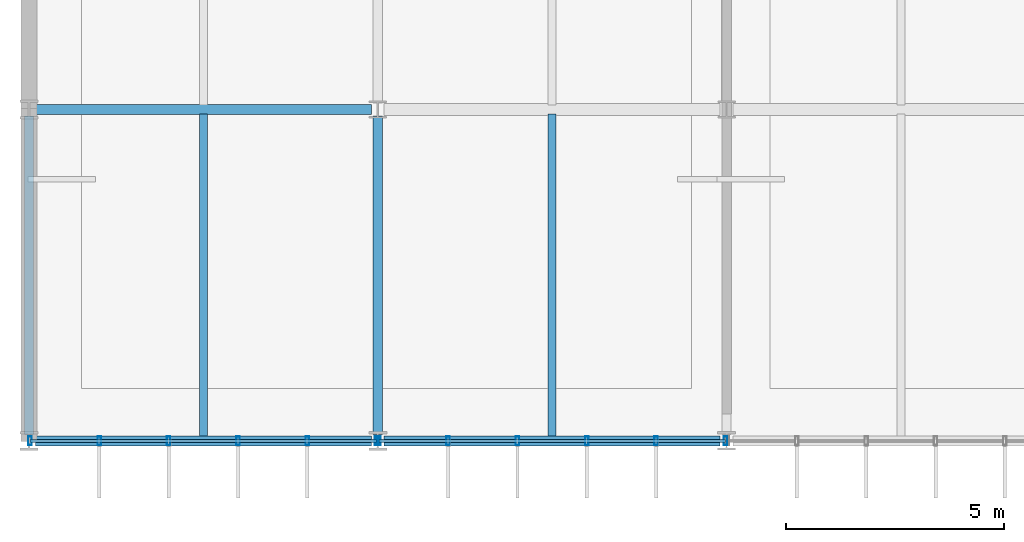
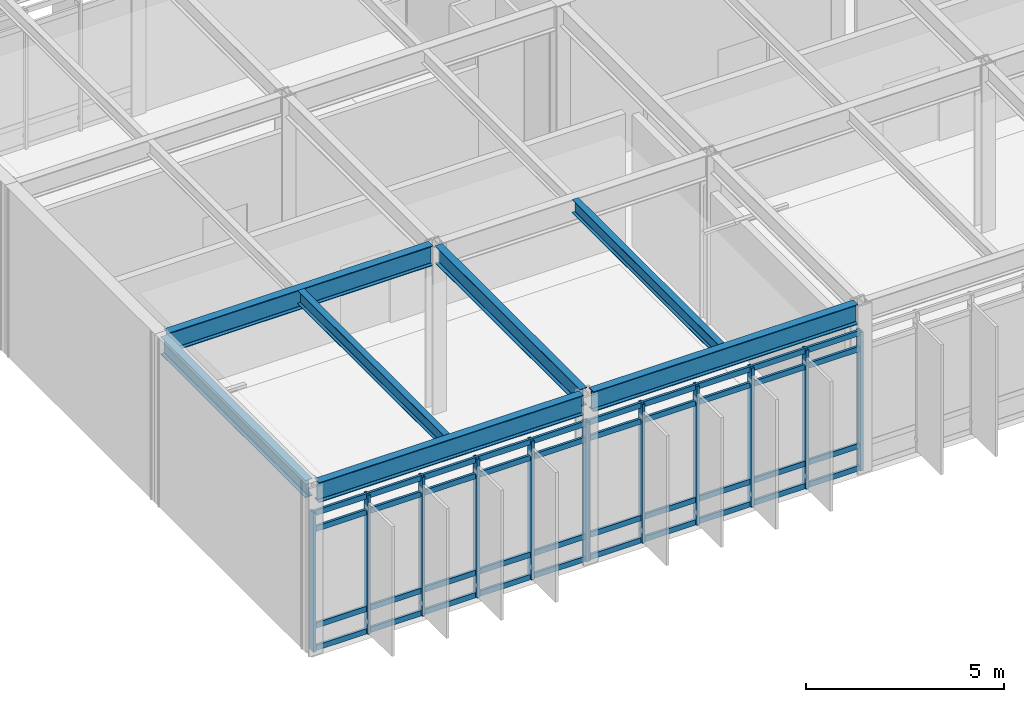
# One storey, part 21 of 94: 20 members, 7 beams, 2 elements without a shape of their own.
"""IFC4 building model written with IfcOpenShell, lengths in metres."""

from ifc_helpers import new_model, si_unit, direction, frame, origin, origin_2d, place, context, subcontext, project, spatial, hollow_rectangle, i_section, extrude, material, material_profile, profile_set, type_object, element, aggregate, save


model = new_model("IFC4")

# Units and contexts
model_context = context("Model", 3, precision=1e-05, world=origin(), true_north=direction((0.0, 1.0)))
body_context = subcontext(model_context, "Body", "Model", "MODEL_VIEW")
ifc_project = project(units=[si_unit("LENGTHUNIT", "METRE"), si_unit("AREAUNIT", "SQUARE_METRE"), si_unit("VOLUMEUNIT", "CUBIC_METRE"), si_unit("PLANEANGLEUNIT", "RADIAN"), si_unit("MASSUNIT", "GRAM", prefix="KILO")], contexts=[model_context])

# Site, building, storey
site_placement = place(None, origin())
site = spatial("IfcSite", under=ifc_project, at=site_placement, CompositionType="ELEMENT")
building_placement = place(site_placement, origin())
building = spatial("IfcBuilding", under=site, at=building_placement, Name="Zulena Civic Courthouse", CompositionType="ELEMENT")
storey_placement = place(building_placement, frame((0.0, 0.0, 5.39990234375)))
storey = spatial("IfcBuildingStorey", under=building, at=storey_placement, Name="L01", CompositionType="ELEMENT", Elevation=5.39990234375)

# Curtain wall, members
ifc_material_1 = material(Name="Double-silver low-E laminated solar-control glass", Category="glass")
curtain_wall_type = type_object("IfcCurtainWallType", Name="CW_7952x4280", PredefinedType="USERDEFINED", material=ifc_material_1)
curtain_wall_1_placement = place(storey_placement, origin())
curtain_wall_1 = element("IfcCurtainWall", 1, at=curtain_wall_1_placement, inside=storey, type_object=curtain_wall_type, Name="cw:V2:L01:5:4", ObjectType="UNITISED CURTAIN WALL", PredefinedType="USERDEFINED")
ifc_material_2 = material(Name="Bronze anodised thermally broken aluminium AA6063-T6", Category="aluminium")
ifc_material_profile_1 = material_profile(ifc_material_2, hollow_rectangle(XDim=0.080078125, YDim=0.199951171875, WallThickness=0.0048828125, at=origin_2d()), Name="CWM200X80X5")
ifc_profile_set_1 = profile_set([ifc_material_profile_1], Name="Bronze anodised thermally broken aluminium AA6063-T6")
member_type_1 = type_object("IfcMemberType", Name="CWMullion_200x80", PredefinedType="MULLION", material=ifc_profile_set_1)
member_1_placement = place(storey_placement, frame((19.97607421875, 0.0, 0.0), z_axis=(0.0, 0.0, 1.0), x_axis=(1.0, 0.0, 0.0)))
member_1 = element("IfcMember", 2, at=member_1_placement, type_object=member_type_1, Name="cw:V2:L01:5:4:mull:0", PredefinedType="MULLION", context=body_context, shape_type="SweptSolid", body=[
    extrude(hollow_rectangle(XDim=0.080078125, YDim=0.199951171875, WallThickness=0.0048828125, at=origin_2d()), origin(), (0.0, 0.0, 1.0), 4.280029296875),
])
member_2_placement = place(storey_placement, frame((18.385498046875, 0.0, 0.0), z_axis=(0.0, 0.0, 1.0), x_axis=(1.0, 0.0, 0.0)))
member_2 = element("IfcMember", 3, at=member_2_placement, type_object=member_type_1, Name="cw:V2:L01:5:4:mull:1", PredefinedType="MULLION", context=body_context, shape_type="SweptSolid", body=[
    extrude(hollow_rectangle(XDim=0.080078125, YDim=0.199951171875, WallThickness=0.0048828125, at=origin_2d()), origin(), (0.0, 0.0, 1.0), 4.280029296875),
])
member_3_placement = place(storey_placement, frame((16.795166015625, 0.0, 0.0), z_axis=(0.0, 0.0, 1.0), x_axis=(1.0, 0.0, 0.0)))
member_3 = element("IfcMember", 4, at=member_3_placement, type_object=member_type_1, Name="cw:V2:L01:5:4:mull:2", PredefinedType="MULLION", context=body_context, shape_type="SweptSolid", body=[
    extrude(hollow_rectangle(XDim=0.080078125, YDim=0.199951171875, WallThickness=0.0048828125, at=origin_2d()), origin(), (0.0, 0.0, 1.0), 4.280029296875),
])
member_4_placement = place(storey_placement, frame((15.204833984375, 0.0, 0.0), z_axis=(0.0, 0.0, 1.0), x_axis=(1.0, 0.0, 0.0)))
member_4 = element("IfcMember", 5, at=member_4_placement, type_object=member_type_1, Name="cw:V2:L01:5:4:mull:3", PredefinedType="MULLION", context=body_context, shape_type="SweptSolid", body=[
    extrude(hollow_rectangle(XDim=0.080078125, YDim=0.199951171875, WallThickness=0.0048828125, at=origin_2d()), origin(), (0.0, 0.0, 1.0), 4.280029296875),
])
member_5_placement = place(storey_placement, frame((13.614501953125, 0.0, 0.0), z_axis=(0.0, 0.0, 1.0), x_axis=(1.0, 0.0, 0.0)))
member_5 = element("IfcMember", 6, at=member_5_placement, type_object=member_type_1, Name="cw:V2:L01:5:4:mull:4", PredefinedType="MULLION", context=body_context, shape_type="SweptSolid", body=[
    extrude(hollow_rectangle(XDim=0.080078125, YDim=0.199951171875, WallThickness=0.0048828125, at=origin_2d()), origin(), (0.0, 0.0, 1.0), 4.280029296875),
])
member_6_placement = place(storey_placement, frame((12.02392578125, 0.0, 0.0), z_axis=(0.0, 0.0, 1.0), x_axis=(1.0, 0.0, 0.0)))
member_6 = element("IfcMember", 7, at=member_6_placement, type_object=member_type_1, Name="cw:V2:L01:5:4:mull:5", PredefinedType="MULLION", context=body_context, shape_type="SweptSolid", body=[
    extrude(hollow_rectangle(XDim=0.080078125, YDim=0.199951171875, WallThickness=0.0048828125, at=origin_2d()), origin(), (0.0, 0.0, 1.0), 4.280029296875),
])

curtain_wall_2_placement = place(storey_placement, origin())
curtain_wall_2 = element("IfcCurtainWall", 8, at=curtain_wall_2_placement, inside=storey, type_object=curtain_wall_type, Name="cw:V2:L01:5:5", ObjectType="UNITISED CURTAIN WALL", PredefinedType="USERDEFINED")
member_7_placement = place(storey_placement, frame((11.97607421875, 0.0, 0.0), z_axis=(0.0, 0.0, 1.0), x_axis=(1.0, 0.0, 0.0)))
member_7 = element("IfcMember", 9, at=member_7_placement, type_object=member_type_1, Name="cw:V2:L01:5:5:mull:0", PredefinedType="MULLION", context=body_context, shape_type="SweptSolid", body=[
    extrude(hollow_rectangle(XDim=0.080078125, YDim=0.199951171875, WallThickness=0.0048828125, at=origin_2d()), origin(), (0.0, 0.0, 1.0), 4.280029296875),
])
member_8_placement = place(storey_placement, frame((10.385498046875, 0.0, 0.0), z_axis=(0.0, 0.0, 1.0), x_axis=(1.0, 0.0, 0.0)))
member_8 = element("IfcMember", 10, at=member_8_placement, type_object=member_type_1, Name="cw:V2:L01:5:5:mull:1", PredefinedType="MULLION", context=body_context, shape_type="SweptSolid", body=[
    extrude(hollow_rectangle(XDim=0.080078125, YDim=0.199951171875, WallThickness=0.0048828125, at=origin_2d()), origin(), (0.0, 0.0, 1.0), 4.280029296875),
])
member_9_placement = place(storey_placement, frame((8.795166015625, 0.0, 0.0), z_axis=(0.0, 0.0, 1.0), x_axis=(1.0, 0.0, 0.0)))
member_9 = element("IfcMember", 11, at=member_9_placement, type_object=member_type_1, Name="cw:V2:L01:5:5:mull:2", PredefinedType="MULLION", context=body_context, shape_type="SweptSolid", body=[
    extrude(hollow_rectangle(XDim=0.080078125, YDim=0.199951171875, WallThickness=0.0048828125, at=origin_2d()), origin(), (0.0, 0.0, 1.0), 4.280029296875),
])
member_10_placement = place(storey_placement, frame((7.204833984375, 0.0, 0.0), z_axis=(0.0, 0.0, 1.0), x_axis=(1.0, 0.0, 0.0)))
member_10 = element("IfcMember", 12, at=member_10_placement, type_object=member_type_1, Name="cw:V2:L01:5:5:mull:3", PredefinedType="MULLION", context=body_context, shape_type="SweptSolid", body=[
    extrude(hollow_rectangle(XDim=0.080078125, YDim=0.199951171875, WallThickness=0.0048828125, at=origin_2d()), origin(), (0.0, 0.0, 1.0), 4.280029296875),
])
member_11_placement = place(storey_placement, frame((5.614501953125, 0.0, 0.0), z_axis=(0.0, 0.0, 1.0), x_axis=(1.0, 0.0, 0.0)))
member_11 = element("IfcMember", 13, at=member_11_placement, type_object=member_type_1, Name="cw:V2:L01:5:5:mull:4", PredefinedType="MULLION", context=body_context, shape_type="SweptSolid", body=[
    extrude(hollow_rectangle(XDim=0.080078125, YDim=0.199951171875, WallThickness=0.0048828125, at=origin_2d()), origin(), (0.0, 0.0, 1.0), 4.280029296875),
])
member_12_placement = place(storey_placement, frame((4.02392578125, 0.0, 0.0), z_axis=(0.0, 0.0, 1.0), x_axis=(1.0, 0.0, 0.0)))
member_12 = element("IfcMember", 14, at=member_12_placement, type_object=member_type_1, Name="cw:V2:L01:5:5:mull:5", PredefinedType="MULLION", context=body_context, shape_type="SweptSolid", body=[
    extrude(hollow_rectangle(XDim=0.080078125, YDim=0.199951171875, WallThickness=0.0048828125, at=origin_2d()), origin(), (0.0, 0.0, 1.0), 4.280029296875),
])

# Member
ifc_material_profile_2 = material_profile(ifc_material_2, hollow_rectangle(XDim=0.070068359375, YDim=0.1650390625, WallThickness=0.00390625, at=origin_2d()), Name="CWT165X70X4")
ifc_profile_set_2 = profile_set([ifc_material_profile_2], Name="Bronze anodised thermally broken aluminium AA6063-T6")
member_type_2 = type_object("IfcMemberType", Name="CWTransom_165x70", PredefinedType="USERDEFINED", material=ifc_profile_set_2)
member_13_placement = place(storey_placement, frame((19.97607421875, 0.0, 0.06005859375), z_axis=(-1.0, 0.0, 0.0), x_axis=(0.0, -1.0, 0.0)))
member_13 = element("IfcMember", 15, at=member_13_placement, type_object=member_type_2, Name="cw:V2:L01:5:4:tran:0", ObjectType="TRANSOM", PredefinedType="USERDEFINED", context=body_context, shape_type="SweptSolid", body=[
    extrude(hollow_rectangle(XDim=0.070068359375, YDim=0.1650390625, WallThickness=0.00390625, at=origin_2d()), origin(), (0.0, 0.0, 1.0), 7.9521484375),
])

member_14_placement = place(storey_placement, frame((19.97607421875, 0.0, 0.75), z_axis=(-1.0, 0.0, 0.0), x_axis=(0.0, -1.0, 0.0)))
member_14 = element("IfcMember", 16, at=member_14_placement, type_object=member_type_2, Name="cw:V2:L01:5:4:tran:1", ObjectType="TRANSOM", PredefinedType="USERDEFINED", context=body_context, shape_type="SweptSolid", body=[
    extrude(hollow_rectangle(XDim=0.070068359375, YDim=0.1650390625, WallThickness=0.00390625, at=origin_2d()), origin(), (0.0, 0.0, 1.0), 7.9521484375),
])

member_15_placement = place(storey_placement, frame((19.97607421875, 0.0, 3.72998046875), z_axis=(-1.0, 0.0, 0.0), x_axis=(0.0, -1.0, 0.0)))
member_15 = element("IfcMember", 17, at=member_15_placement, type_object=member_type_2, Name="cw:V2:L01:5:4:tran:2", ObjectType="TRANSOM", PredefinedType="USERDEFINED", context=body_context, shape_type="SweptSolid", body=[
    extrude(hollow_rectangle(XDim=0.070068359375, YDim=0.1650390625, WallThickness=0.00390625, at=origin_2d()), origin(), (0.0, 0.0, 1.0), 7.9521484375),
])

member_16_placement = place(storey_placement, frame((19.97607421875, 0.0, 4.22021484375), z_axis=(-1.0, 0.0, 0.0), x_axis=(0.0, -1.0, 0.0)))
member_16 = element("IfcMember", 18, at=member_16_placement, type_object=member_type_2, Name="cw:V2:L01:5:4:tran:3", ObjectType="TRANSOM", PredefinedType="USERDEFINED", context=body_context, shape_type="SweptSolid", body=[
    extrude(hollow_rectangle(XDim=0.070068359375, YDim=0.1650390625, WallThickness=0.00390625, at=origin_2d()), origin(), (0.0, 0.0, 1.0), 7.9521484375),
])

aggregate(curtain_wall_1, [member_1, member_2, member_3, member_4, member_5, member_6, member_13, member_14, member_15, member_16])

member_17_placement = place(storey_placement, frame((11.97607421875, 0.0, 0.06005859375), z_axis=(-1.0, 0.0, 0.0), x_axis=(0.0, -1.0, 0.0)))
member_17 = element("IfcMember", 19, at=member_17_placement, type_object=member_type_2, Name="cw:V2:L01:5:5:tran:0", ObjectType="TRANSOM", PredefinedType="USERDEFINED", context=body_context, shape_type="SweptSolid", body=[
    extrude(hollow_rectangle(XDim=0.070068359375, YDim=0.1650390625, WallThickness=0.00390625, at=origin_2d()), origin(), (0.0, 0.0, 1.0), 7.9521484375),
])

member_18_placement = place(storey_placement, frame((11.97607421875, 0.0, 0.75), z_axis=(-1.0, 0.0, 0.0), x_axis=(0.0, -1.0, 0.0)))
member_18 = element("IfcMember", 20, at=member_18_placement, type_object=member_type_2, Name="cw:V2:L01:5:5:tran:1", ObjectType="TRANSOM", PredefinedType="USERDEFINED", context=body_context, shape_type="SweptSolid", body=[
    extrude(hollow_rectangle(XDim=0.070068359375, YDim=0.1650390625, WallThickness=0.00390625, at=origin_2d()), origin(), (0.0, 0.0, 1.0), 7.9521484375),
])

member_19_placement = place(storey_placement, frame((11.97607421875, 0.0, 3.72998046875), z_axis=(-1.0, 0.0, 0.0), x_axis=(0.0, -1.0, 0.0)))
member_19 = element("IfcMember", 21, at=member_19_placement, type_object=member_type_2, Name="cw:V2:L01:5:5:tran:2", ObjectType="TRANSOM", PredefinedType="USERDEFINED", context=body_context, shape_type="SweptSolid", body=[
    extrude(hollow_rectangle(XDim=0.070068359375, YDim=0.1650390625, WallThickness=0.00390625, at=origin_2d()), origin(), (0.0, 0.0, 1.0), 7.9521484375),
])

member_20_placement = place(storey_placement, frame((11.97607421875, 0.0, 4.22021484375), z_axis=(-1.0, 0.0, 0.0), x_axis=(0.0, -1.0, 0.0)))
member_20 = element("IfcMember", 22, at=member_20_placement, type_object=member_type_2, Name="cw:V2:L01:5:5:tran:3", ObjectType="TRANSOM", PredefinedType="USERDEFINED", context=body_context, shape_type="SweptSolid", body=[
    extrude(hollow_rectangle(XDim=0.070068359375, YDim=0.1650390625, WallThickness=0.00390625, at=origin_2d()), origin(), (0.0, 0.0, 1.0), 7.9521484375),
])

aggregate(curtain_wall_2, [member_7, member_8, member_9, member_10, member_11, member_12, member_17, member_18, member_19, member_20])

# Beams
ifc_material_3 = material(Name="Steel ASTM A992 Grade 50", Category="steel")
ifc_material_profile_3 = material_profile(ifc_material_3, i_section(OverallWidth=0.180908203125, OverallDepth=0.4169921875, WebThickness=0.010986328125, FlangeThickness=0.018310546875, FilletRadius=0.01025390625, at=origin_2d()), Name="W16X57")
ifc_profile_set_3 = profile_set([ifc_material_profile_3], Name="Steel ASTM A992 Grade 50")
beam_type_1 = type_object("IfcBeamType", Name="Joist_W16X57", PredefinedType="JOIST", material=ifc_profile_set_3)
for number, where, z_axis, x_axis, name in (
    (23, (8.0, 0.10498046875, 4.9765625), (0.0, 1.0, 0.0), (-1.0, 0.0, 0.0), "joist:V2:L01:8.00:0.0_7.6"),
    (24, (16.0, 0.10498046875, 4.9765625), (0.0, 1.0, 0.0), (-1.0, 0.0, 0.0), "joist:V2:L01:16.00:0.0_7.6"),
):
    element("IfcBeam", number, at=place(storey_placement, frame(where, z_axis=z_axis, x_axis=x_axis)), inside=storey, type_object=beam_type_1, Name=name, PredefinedType="JOIST", context=body_context, shape_type="SweptSolid", body=[
        extrude(i_section(OverallWidth=0.180908203125, OverallDepth=0.4169921875, WebThickness=0.010986328125, FlangeThickness=0.018310546875, FilletRadius=0.01025390625, at=origin_2d()), origin(), (0.0, 0.0, 1.0), 7.39013671875),
    ])
ifc_material_profile_4 = material_profile(ifc_material_3, i_section(OverallWidth=0.2099609375, OverallDepth=0.537109375, WebThickness=0.010986328125, FlangeThickness=0.017333984375, FilletRadius=0.0126953125, at=origin_2d()), Name="W21X68")
ifc_profile_set_4 = profile_set([ifc_material_profile_4], Name="Steel ASTM A992 Grade 50")
beam_type_2 = type_object("IfcBeamType", Name="Spandrel_W21X68", PredefinedType="SPANDREL", material=ifc_profile_set_4)
for number, where, z_axis, x_axis, name in (
    (25, (4.0, 0.14501953125, 4.91650390625), (0.0, 1.0, 0.0), (-1.0, 0.0, 0.0), "beam:Y:V2:L01:4.0:0.0_7.6"),
    (26, (12.0, 0.14501953125, 4.91650390625), (0.0, 1.0, 0.0), (-1.0, 0.0, 0.0), "beam:Y:V2:L01:12.0:0.0_7.6"),
):
    element("IfcBeam", number, at=place(storey_placement, frame(where, z_axis=z_axis, x_axis=x_axis)), inside=storey, type_object=beam_type_2, Name=name, PredefinedType="SPANDREL", context=body_context, shape_type="SweptSolid", body=[
        extrude(i_section(OverallWidth=0.2099609375, OverallDepth=0.537109375, WebThickness=0.010986328125, FlangeThickness=0.017333984375, FilletRadius=0.0126953125, at=origin_2d()), origin(), (0.0, 0.0, 1.0), 7.31005859375),
    ])
ifc_material_profile_5 = material_profile(ifc_material_3, i_section(OverallWidth=0.22998046875, OverallDepth=0.616943359375, WebThickness=0.01318359375, FlangeThickness=0.022216796875, FilletRadius=0.0126953125, at=origin_2d()), Name="W24X94")
ifc_profile_set_5 = profile_set([ifc_material_profile_5], Name="Steel ASTM A992 Grade 50")
beam_type_3 = type_object("IfcBeamType", Name="Spandrel_W24X94", PredefinedType="SPANDREL", material=ifc_profile_set_5)
for number, where, z_axis, x_axis, name in (
    (27, (4.14501953125, 0.0, 4.876708984375), (1.0, 0.0, 0.0), (0.0, 1.0, 0.0), "beam:X:V2:L01:0.0:4.0_12.0"),
    (28, (12.14501953125, 0.0, 4.876708984375), (1.0, 0.0, 0.0), (0.0, 1.0, 0.0), "beam:X:V2:L01:0.0:12.0_20.0"),
    (29, (4.14501953125, 7.60009765625, 4.876708984375), (1.0, 0.0, 0.0), (0.0, 1.0, 0.0), "beam:X:V2:L01:7.6:4.0_12.0"),
):
    element("IfcBeam", number, at=place(storey_placement, frame(where, z_axis=z_axis, x_axis=x_axis)), inside=storey, type_object=beam_type_3, Name=name, PredefinedType="SPANDREL", context=body_context, shape_type="SweptSolid", body=[
        extrude(i_section(OverallWidth=0.22998046875, OverallDepth=0.616943359375, WebThickness=0.01318359375, FlangeThickness=0.022216796875, FilletRadius=0.0126953125, at=origin_2d()), origin(), (0.0, 0.0, 1.0), 7.7099609375),
    ])

save(model, "model.ifc")
